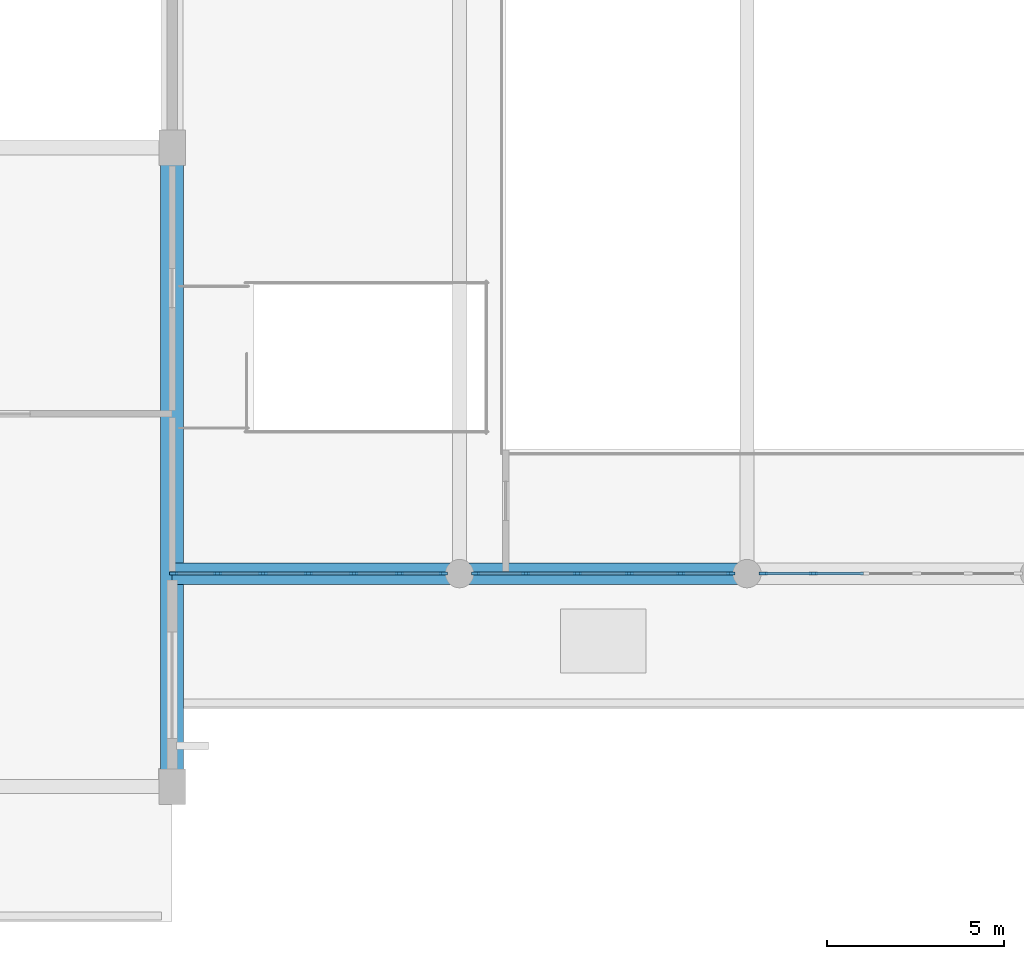
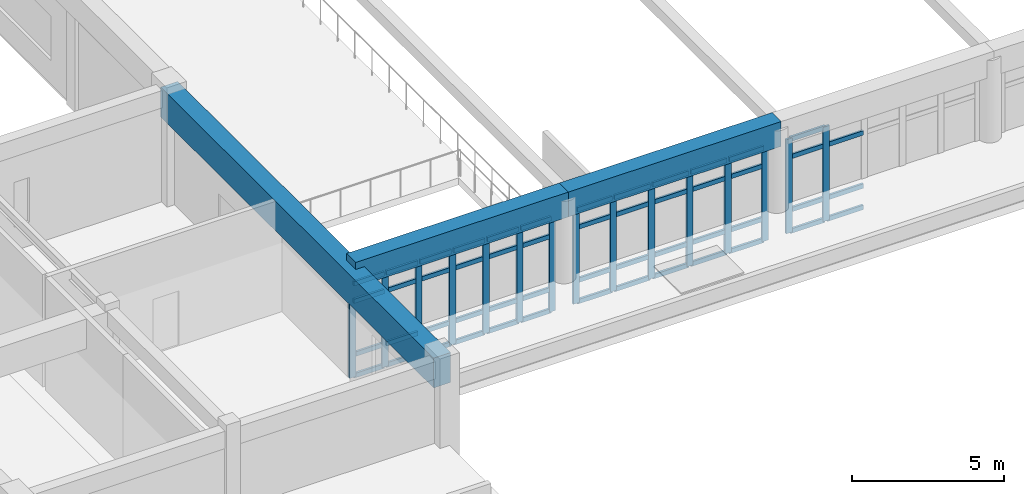
# One storey, part 6 of 61: 66 members, 3 beams, 3 elements without a shape of their own.
"""IFC4 building model written with IfcOpenShell, lengths in metres."""

from ifc_helpers import new_model, si_unit, direction, frame, origin, origin_2d, place, context, subcontext, project, spatial, rectangle, extrude, material, material_profile, profile_set, type_object, element, aggregate, save


model = new_model("IFC4")

# Units and contexts
model_context = context("Model", 3, precision=1e-05, world=origin(), true_north=direction((0.0, 1.0)))
body_context = subcontext(model_context, "Body", "Model", "MODEL_VIEW")
ifc_project = project(units=[si_unit("LENGTHUNIT", "METRE"), si_unit("AREAUNIT", "SQUARE_METRE"), si_unit("VOLUMEUNIT", "CUBIC_METRE"), si_unit("PLANEANGLEUNIT", "RADIAN"), si_unit("MASSUNIT", "GRAM", prefix="KILO")], contexts=[model_context])

# Site, building, storey
site_placement = place(None, origin())
site = spatial("IfcSite", under=ifc_project, at=site_placement, CompositionType="ELEMENT")
building_placement = place(site_placement, origin())
building = spatial("IfcBuilding", under=site, at=building_placement, Name="Tarnveldt Square Police Headquarters", CompositionType="ELEMENT")
storey_placement = place(building_placement, frame((0.0, 0.0, 5.39990234375)))
storey = spatial("IfcBuildingStorey", under=building, at=storey_placement, Name="L01", CompositionType="ELEMENT", Elevation=5.39990234375)

# Beams
ifc_material_1 = material(Name="Concrete 50 MPa", Category="concrete")
ifc_material_profile_1 = material_profile(ifc_material_1, rectangle(XDim=0.60009765625, YDim=1.0, at=origin_2d()), Name="RC-B600x1000")
ifc_profile_set_1 = profile_set([ifc_material_profile_1], Name="Concrete 50 MPa")
beam_type_1 = type_object("IfcBeamType", Name="BM-RC600x1000", PredefinedType="BEAM", material=ifc_profile_set_1)
beam_1_placement = place(storey_placement, frame((64.800048828125, 22.0, 4.300048828125), z_axis=(1.0, 0.0, 0.0), x_axis=(0.0, 1.0, 0.0)))
element("IfcBeam", 1, at=beam_1_placement, inside=storey, type_object=beam_type_1, Name="Public Entrance Hall Springing Edge Ring Beam S1", PredefinedType="BEAM", context=body_context, shape_type="SweptSolid", body=[
    extrude(rectangle(XDim=0.60009765625, YDim=1.0, at=origin_2d()), origin(), (0.0, 0.0, 1.0), 8.099853515625),
])
beam_2_placement = place(storey_placement, frame((72.89990234375, 22.0, 4.300048828125), z_axis=(1.0, 0.0, 0.0), x_axis=(0.0, 1.0, 0.0)))
element("IfcBeam", 2, at=beam_2_placement, inside=storey, type_object=beam_type_1, Name="Public Entrance Hall Springing Edge Ring Beam S2", PredefinedType="BEAM", context=body_context, shape_type="SweptSolid", body=[
    extrude(rectangle(XDim=0.60009765625, YDim=1.0, at=origin_2d()), origin(), (0.0, 0.0, 1.0), 8.10009765625),
])
ifc_material_profile_2 = material_profile(ifc_material_1, rectangle(XDim=0.64990234375, YDim=1.199951171875, at=origin_2d()), Name="RC-B650x1200")
ifc_profile_set_2 = profile_set([ifc_material_profile_2], Name="Concrete 50 MPa")
beam_type_2 = type_object("IfcBeamType", Name="BM-RC650x1200", PredefinedType="BEAM", material=ifc_profile_set_2)
beam_3_placement = place(storey_placement, frame((64.800048828125, 16.0, 3.920166015625), z_axis=(0.0, 1.0, 0.0), x_axis=(-1.0, 0.0, 0.0)))
element("IfcBeam", 3, at=beam_3_placement, inside=storey, type_object=beam_type_2, Name="L02 Grid Girder Y-0628", PredefinedType="BEAM", context=body_context, shape_type="SweptSolid", body=[
    extrude(rectangle(XDim=0.64990234375, YDim=1.199951171875, at=origin_2d()), origin(), (0.0, 0.0, 1.0), 18.0),
])

# Curtain wall, members
ifc_material_2 = material(Name="Triple-glazed low-e laminated vision glass", Category="glass")
curtain_wall_type_1 = type_object("IfcCurtainWallType", Name="CW-EH-769x379", PredefinedType="USERDEFINED", material=ifc_material_2)
curtain_wall_1_placement = place(storey_placement, origin())
curtain_wall_1 = element("IfcCurtainWall", 4, at=curtain_wall_1_placement, inside=storey, type_object=curtain_wall_type_1, Name="L01 Curtain Wall CW-L01-007", ObjectType="GLAZED CURTAIN WALL", PredefinedType="USERDEFINED")
ifc_material_3 = material(Name="Thermally broken anodised aluminium 6063-T6", Category="aluminium")
ifc_material_profile_3 = material_profile(ifc_material_3, rectangle(XDim=0.0849609375, YDim=0.239990234375, at=origin_2d()), Name="CW-M85x240")
ifc_profile_set_3 = profile_set([ifc_material_profile_3], Name="Thermally broken anodised aluminium 6063-T6")
member_type_1 = type_object("IfcMemberType", Name="CWM-85x240", PredefinedType="MULLION", material=ifc_profile_set_3)
member_1_placement = place(storey_placement, frame((64.842529296875, 22.0, 0.0), z_axis=(0.0, 0.0, 1.0), x_axis=(0.0, 1.0, 0.0)))
member_1 = element("IfcMember", 5, at=member_1_placement, type_object=member_type_1, Name="CW-EH04 mullion 1", PredefinedType="MULLION", context=body_context, shape_type="SweptSolid", body=[
    extrude(rectangle(XDim=0.0849609375, YDim=0.239990234375, at=origin_2d()), origin(), (0.0, 0.0, 1.0), 3.7919921875),
])
member_2_placement = place(storey_placement, frame((66.080810546875, 22.0, 0.0), z_axis=(0.0, 0.0, 1.0), x_axis=(0.0, 1.0, 0.0)))
member_2 = element("IfcMember", 6, at=member_2_placement, type_object=member_type_1, Name="CW-EH04 mullion 2", PredefinedType="MULLION", context=body_context, shape_type="SweptSolid", body=[
    extrude(rectangle(XDim=0.0849609375, YDim=0.239990234375, at=origin_2d()), origin(), (0.0, 0.0, 1.0), 3.7919921875),
])
member_3_placement = place(storey_placement, frame((67.361572265625, 22.0, 0.0), z_axis=(0.0, 0.0, 1.0), x_axis=(0.0, 1.0, 0.0)))
member_3 = element("IfcMember", 7, at=member_3_placement, type_object=member_type_1, Name="CW-EH04 mullion 3", PredefinedType="MULLION", context=body_context, shape_type="SweptSolid", body=[
    extrude(rectangle(XDim=0.0849609375, YDim=0.239990234375, at=origin_2d()), origin(), (0.0, 0.0, 1.0), 3.7919921875),
])
member_4_placement = place(storey_placement, frame((68.642578125, 22.0, 0.0), z_axis=(0.0, 0.0, 1.0), x_axis=(0.0, 1.0, 0.0)))
member_4 = element("IfcMember", 8, at=member_4_placement, type_object=member_type_1, Name="CW-EH04 mullion 4", PredefinedType="MULLION", context=body_context, shape_type="SweptSolid", body=[
    extrude(rectangle(XDim=0.0849609375, YDim=0.239990234375, at=origin_2d()), origin(), (0.0, 0.0, 1.0), 3.7919921875),
])
member_5_placement = place(storey_placement, frame((69.92333984375, 22.0, 0.0), z_axis=(0.0, 0.0, 1.0), x_axis=(0.0, 1.0, 0.0)))
member_5 = element("IfcMember", 9, at=member_5_placement, type_object=member_type_1, Name="CW-EH04 mullion 5", PredefinedType="MULLION", context=body_context, shape_type="SweptSolid", body=[
    extrude(rectangle(XDim=0.0849609375, YDim=0.239990234375, at=origin_2d()), origin(), (0.0, 0.0, 1.0), 3.7919921875),
])
member_6_placement = place(storey_placement, frame((71.2041015625, 22.0, 0.0), z_axis=(0.0, 0.0, 1.0), x_axis=(0.0, 1.0, 0.0)))
member_6 = element("IfcMember", 10, at=member_6_placement, type_object=member_type_1, Name="CW-EH04 mullion 6", PredefinedType="MULLION", context=body_context, shape_type="SweptSolid", body=[
    extrude(rectangle(XDim=0.0849609375, YDim=0.239990234375, at=origin_2d()), origin(), (0.0, 0.0, 1.0), 3.7919921875),
])
member_7_placement = place(storey_placement, frame((72.4423828125, 22.0, 0.0), z_axis=(0.0, 0.0, 1.0), x_axis=(0.0, 1.0, 0.0)))
member_7 = element("IfcMember", 11, at=member_7_placement, type_object=member_type_1, Name="CW-EH04 mullion 7", PredefinedType="MULLION", context=body_context, shape_type="SweptSolid", body=[
    extrude(rectangle(XDim=0.0849609375, YDim=0.239990234375, at=origin_2d()), origin(), (0.0, 0.0, 1.0), 3.7919921875),
])

curtain_wall_type_2 = type_object("IfcCurtainWallType", Name="CW-EH-727x379", PredefinedType="USERDEFINED", material=ifc_material_2)
curtain_wall_2_placement = place(storey_placement, origin())
curtain_wall_2 = element("IfcCurtainWall", 12, at=curtain_wall_2_placement, inside=storey, type_object=curtain_wall_type_2, Name="L01 Curtain Wall CW-L01-008", ObjectType="GLAZED CURTAIN WALL", PredefinedType="USERDEFINED")
member_8_placement = place(storey_placement, frame((73.357421875, 22.0, 0.0), z_axis=(0.0, 0.0, 1.0), x_axis=(0.0, 1.0, 0.0)))
member_8 = element("IfcMember", 13, at=member_8_placement, type_object=member_type_1, Name="CW-EH05 mullion 1", PredefinedType="MULLION", context=body_context, shape_type="SweptSolid", body=[
    extrude(rectangle(XDim=0.0849609375, YDim=0.239990234375, at=origin_2d()), origin(), (0.0, 0.0, 1.0), 3.7919921875),
])
member_9_placement = place(storey_placement, frame((74.76904296875, 22.0, 0.0), z_axis=(0.0, 0.0, 1.0), x_axis=(0.0, 1.0, 0.0)))
member_9 = element("IfcMember", 14, at=member_9_placement, type_object=member_type_1, Name="CW-EH05 mullion 2", PredefinedType="MULLION", context=body_context, shape_type="SweptSolid", body=[
    extrude(rectangle(XDim=0.0849609375, YDim=0.239990234375, at=origin_2d()), origin(), (0.0, 0.0, 1.0), 3.7919921875),
])
member_10_placement = place(storey_placement, frame((76.222900390625, 22.0, 0.0), z_axis=(0.0, 0.0, 1.0), x_axis=(0.0, 1.0, 0.0)))
member_10 = element("IfcMember", 15, at=member_10_placement, type_object=member_type_1, Name="CW-EH05 mullion 3", PredefinedType="MULLION", context=body_context, shape_type="SweptSolid", body=[
    extrude(rectangle(XDim=0.0849609375, YDim=0.239990234375, at=origin_2d()), origin(), (0.0, 0.0, 1.0), 3.7919921875),
])
member_11_placement = place(storey_placement, frame((77.677001953125, 22.0, 0.0), z_axis=(0.0, 0.0, 1.0), x_axis=(0.0, 1.0, 0.0)))
member_11 = element("IfcMember", 16, at=member_11_placement, type_object=member_type_1, Name="CW-EH05 mullion 4", PredefinedType="MULLION", context=body_context, shape_type="SweptSolid", body=[
    extrude(rectangle(XDim=0.0849609375, YDim=0.239990234375, at=origin_2d()), origin(), (0.0, 0.0, 1.0), 3.7919921875),
])
member_12_placement = place(storey_placement, frame((79.131103515625, 22.0, 0.0), z_axis=(0.0, 0.0, 1.0), x_axis=(0.0, 1.0, 0.0)))
member_12 = element("IfcMember", 17, at=member_12_placement, type_object=member_type_1, Name="CW-EH05 mullion 5", PredefinedType="MULLION", context=body_context, shape_type="SweptSolid", body=[
    extrude(rectangle(XDim=0.0849609375, YDim=0.239990234375, at=origin_2d()), origin(), (0.0, 0.0, 1.0), 3.7919921875),
])
member_13_placement = place(storey_placement, frame((80.54248046875, 22.0, 0.0), z_axis=(0.0, 0.0, 1.0), x_axis=(0.0, 1.0, 0.0)))
member_13 = element("IfcMember", 18, at=member_13_placement, type_object=member_type_1, Name="CW-EH05 mullion 6", PredefinedType="MULLION", context=body_context, shape_type="SweptSolid", body=[
    extrude(rectangle(XDim=0.0849609375, YDim=0.239990234375, at=origin_2d()), origin(), (0.0, 0.0, 1.0), 3.7919921875),
])

curtain_wall_3_placement = place(storey_placement, origin())
curtain_wall_3 = element("IfcCurtainWall", 19, at=curtain_wall_3_placement, inside=storey, type_object=curtain_wall_type_2, Name="L01 Curtain Wall CW-L01-009", ObjectType="GLAZED CURTAIN WALL", PredefinedType="USERDEFINED")
member_14_placement = place(storey_placement, frame((81.45751953125, 22.0, 0.0), z_axis=(0.0, 0.0, 1.0), x_axis=(0.0, 1.0, 0.0)))
member_14 = element("IfcMember", 20, at=member_14_placement, type_object=member_type_1, Name="CW-EH05 mullion 1", PredefinedType="MULLION", context=body_context, shape_type="SweptSolid", body=[
    extrude(rectangle(XDim=0.0849609375, YDim=0.239990234375, at=origin_2d()), origin(), (0.0, 0.0, 1.0), 3.7919921875),
])
member_15_placement = place(storey_placement, frame((82.868896484375, 22.0, 0.0), z_axis=(0.0, 0.0, 1.0), x_axis=(0.0, 1.0, 0.0)))
member_15 = element("IfcMember", 21, at=member_15_placement, type_object=member_type_1, Name="CW-EH05 mullion 2", PredefinedType="MULLION", context=body_context, shape_type="SweptSolid", body=[
    extrude(rectangle(XDim=0.0849609375, YDim=0.239990234375, at=origin_2d()), origin(), (0.0, 0.0, 1.0), 3.7919921875),
])

# Member
ifc_material_profile_4 = material_profile(ifc_material_3, rectangle(XDim=0.0849609375, YDim=0.179931640625, at=origin_2d()), Name="CW-T85x180")
ifc_profile_set_4 = profile_set([ifc_material_profile_4], Name="Thermally broken anodised aluminium 6063-T6")
member_type_2 = type_object("IfcMemberType", Name="CWT-85x180", PredefinedType="USERDEFINED", material=ifc_profile_set_4)
member_16_placement = place(storey_placement, frame((64.885009765625, 22.0, 0.04248046875), z_axis=(1.0, 0.0, 0.0), x_axis=(0.0, 1.0, 0.0)))
member_16 = element("IfcMember", 22, at=member_16_placement, type_object=member_type_2, Name="CW-EH04 transom 1.1", ObjectType="TRANSOM", PredefinedType="USERDEFINED", context=body_context, shape_type="SweptSolid", body=[
    extrude(rectangle(XDim=0.0849609375, YDim=0.179931640625, at=origin_2d()), origin(), (0.0, 0.0, 1.0), 1.1533203125),
])

member_17_placement = place(storey_placement, frame((64.885009765625, 22.0, 0.900146484375), z_axis=(1.0, 0.0, 0.0), x_axis=(0.0, 1.0, 0.0)))
member_17 = element("IfcMember", 23, at=member_17_placement, type_object=member_type_2, Name="CW-EH04 transom 1.2", ObjectType="TRANSOM", PredefinedType="USERDEFINED", context=body_context, shape_type="SweptSolid", body=[
    extrude(rectangle(XDim=0.0849609375, YDim=0.179931640625, at=origin_2d()), origin(), (0.0, 0.0, 1.0), 1.1533203125),
])

member_18_placement = place(storey_placement, frame((64.885009765625, 22.0, 3.0419921875), z_axis=(1.0, 0.0, 0.0), x_axis=(0.0, 1.0, 0.0)))
member_18 = element("IfcMember", 24, at=member_18_placement, type_object=member_type_2, Name="CW-EH04 transom 1.3", ObjectType="TRANSOM", PredefinedType="USERDEFINED", context=body_context, shape_type="SweptSolid", body=[
    extrude(rectangle(XDim=0.0849609375, YDim=0.179931640625, at=origin_2d()), origin(), (0.0, 0.0, 1.0), 1.1533203125),
])

member_19_placement = place(storey_placement, frame((64.885009765625, 22.0, 3.74951171875), z_axis=(1.0, 0.0, 0.0), x_axis=(0.0, 1.0, 0.0)))
member_19 = element("IfcMember", 25, at=member_19_placement, type_object=member_type_2, Name="CW-EH04 transom 1.4", ObjectType="TRANSOM", PredefinedType="USERDEFINED", context=body_context, shape_type="SweptSolid", body=[
    extrude(rectangle(XDim=0.0849609375, YDim=0.179931640625, at=origin_2d()), origin(), (0.0, 0.0, 1.0), 1.1533203125),
])

member_20_placement = place(storey_placement, frame((66.123291015625, 22.0, 0.04248046875), z_axis=(1.0, 0.0, 0.0), x_axis=(0.0, 1.0, 0.0)))
member_20 = element("IfcMember", 26, at=member_20_placement, type_object=member_type_2, Name="CW-EH04 transom 2.1", ObjectType="TRANSOM", PredefinedType="USERDEFINED", context=body_context, shape_type="SweptSolid", body=[
    extrude(rectangle(XDim=0.0849609375, YDim=0.179931640625, at=origin_2d()), origin(), (0.0, 0.0, 1.0), 1.19580078125),
])

member_21_placement = place(storey_placement, frame((66.123291015625, 22.0, 0.900146484375), z_axis=(1.0, 0.0, 0.0), x_axis=(0.0, 1.0, 0.0)))
member_21 = element("IfcMember", 27, at=member_21_placement, type_object=member_type_2, Name="CW-EH04 transom 2.2", ObjectType="TRANSOM", PredefinedType="USERDEFINED", context=body_context, shape_type="SweptSolid", body=[
    extrude(rectangle(XDim=0.0849609375, YDim=0.179931640625, at=origin_2d()), origin(), (0.0, 0.0, 1.0), 1.19580078125),
])

member_22_placement = place(storey_placement, frame((66.123291015625, 22.0, 3.0419921875), z_axis=(1.0, 0.0, 0.0), x_axis=(0.0, 1.0, 0.0)))
member_22 = element("IfcMember", 28, at=member_22_placement, type_object=member_type_2, Name="CW-EH04 transom 2.3", ObjectType="TRANSOM", PredefinedType="USERDEFINED", context=body_context, shape_type="SweptSolid", body=[
    extrude(rectangle(XDim=0.0849609375, YDim=0.179931640625, at=origin_2d()), origin(), (0.0, 0.0, 1.0), 1.19580078125),
])

member_23_placement = place(storey_placement, frame((66.123291015625, 22.0, 3.74951171875), z_axis=(1.0, 0.0, 0.0), x_axis=(0.0, 1.0, 0.0)))
member_23 = element("IfcMember", 29, at=member_23_placement, type_object=member_type_2, Name="CW-EH04 transom 2.4", ObjectType="TRANSOM", PredefinedType="USERDEFINED", context=body_context, shape_type="SweptSolid", body=[
    extrude(rectangle(XDim=0.0849609375, YDim=0.179931640625, at=origin_2d()), origin(), (0.0, 0.0, 1.0), 1.19580078125),
])

member_24_placement = place(storey_placement, frame((67.404052734375, 22.0, 0.04248046875), z_axis=(1.0, 0.0, 0.0), x_axis=(0.0, 1.0, 0.0)))
member_24 = element("IfcMember", 30, at=member_24_placement, type_object=member_type_2, Name="CW-EH04 transom 3.1", ObjectType="TRANSOM", PredefinedType="USERDEFINED", context=body_context, shape_type="SweptSolid", body=[
    extrude(rectangle(XDim=0.0849609375, YDim=0.179931640625, at=origin_2d()), origin(), (0.0, 0.0, 1.0), 1.196044921875),
])

member_25_placement = place(storey_placement, frame((67.404052734375, 22.0, 0.900146484375), z_axis=(1.0, 0.0, 0.0), x_axis=(0.0, 1.0, 0.0)))
member_25 = element("IfcMember", 31, at=member_25_placement, type_object=member_type_2, Name="CW-EH04 transom 3.2", ObjectType="TRANSOM", PredefinedType="USERDEFINED", context=body_context, shape_type="SweptSolid", body=[
    extrude(rectangle(XDim=0.0849609375, YDim=0.179931640625, at=origin_2d()), origin(), (0.0, 0.0, 1.0), 1.196044921875),
])

member_26_placement = place(storey_placement, frame((67.404052734375, 22.0, 3.0419921875), z_axis=(1.0, 0.0, 0.0), x_axis=(0.0, 1.0, 0.0)))
member_26 = element("IfcMember", 32, at=member_26_placement, type_object=member_type_2, Name="CW-EH04 transom 3.3", ObjectType="TRANSOM", PredefinedType="USERDEFINED", context=body_context, shape_type="SweptSolid", body=[
    extrude(rectangle(XDim=0.0849609375, YDim=0.179931640625, at=origin_2d()), origin(), (0.0, 0.0, 1.0), 1.196044921875),
])

member_27_placement = place(storey_placement, frame((67.404052734375, 22.0, 3.74951171875), z_axis=(1.0, 0.0, 0.0), x_axis=(0.0, 1.0, 0.0)))
member_27 = element("IfcMember", 33, at=member_27_placement, type_object=member_type_2, Name="CW-EH04 transom 3.4", ObjectType="TRANSOM", PredefinedType="USERDEFINED", context=body_context, shape_type="SweptSolid", body=[
    extrude(rectangle(XDim=0.0849609375, YDim=0.179931640625, at=origin_2d()), origin(), (0.0, 0.0, 1.0), 1.196044921875),
])

member_28_placement = place(storey_placement, frame((68.68505859375, 22.0, 0.04248046875), z_axis=(1.0, 0.0, 0.0), x_axis=(0.0, 1.0, 0.0)))
member_28 = element("IfcMember", 34, at=member_28_placement, type_object=member_type_2, Name="CW-EH04 transom 4.1", ObjectType="TRANSOM", PredefinedType="USERDEFINED", context=body_context, shape_type="SweptSolid", body=[
    extrude(rectangle(XDim=0.0849609375, YDim=0.179931640625, at=origin_2d()), origin(), (0.0, 0.0, 1.0), 1.19580078125),
])

member_29_placement = place(storey_placement, frame((68.68505859375, 22.0, 0.900146484375), z_axis=(1.0, 0.0, 0.0), x_axis=(0.0, 1.0, 0.0)))
member_29 = element("IfcMember", 35, at=member_29_placement, type_object=member_type_2, Name="CW-EH04 transom 4.2", ObjectType="TRANSOM", PredefinedType="USERDEFINED", context=body_context, shape_type="SweptSolid", body=[
    extrude(rectangle(XDim=0.0849609375, YDim=0.179931640625, at=origin_2d()), origin(), (0.0, 0.0, 1.0), 1.19580078125),
])

member_30_placement = place(storey_placement, frame((68.68505859375, 22.0, 3.0419921875), z_axis=(1.0, 0.0, 0.0), x_axis=(0.0, 1.0, 0.0)))
member_30 = element("IfcMember", 36, at=member_30_placement, type_object=member_type_2, Name="CW-EH04 transom 4.3", ObjectType="TRANSOM", PredefinedType="USERDEFINED", context=body_context, shape_type="SweptSolid", body=[
    extrude(rectangle(XDim=0.0849609375, YDim=0.179931640625, at=origin_2d()), origin(), (0.0, 0.0, 1.0), 1.19580078125),
])

member_31_placement = place(storey_placement, frame((68.68505859375, 22.0, 3.74951171875), z_axis=(1.0, 0.0, 0.0), x_axis=(0.0, 1.0, 0.0)))
member_31 = element("IfcMember", 37, at=member_31_placement, type_object=member_type_2, Name="CW-EH04 transom 4.4", ObjectType="TRANSOM", PredefinedType="USERDEFINED", context=body_context, shape_type="SweptSolid", body=[
    extrude(rectangle(XDim=0.0849609375, YDim=0.179931640625, at=origin_2d()), origin(), (0.0, 0.0, 1.0), 1.19580078125),
])

member_32_placement = place(storey_placement, frame((69.9658203125, 22.0, 0.04248046875), z_axis=(1.0, 0.0, 0.0), x_axis=(0.0, 1.0, 0.0)))
member_32 = element("IfcMember", 38, at=member_32_placement, type_object=member_type_2, Name="CW-EH04 transom 5.1", ObjectType="TRANSOM", PredefinedType="USERDEFINED", context=body_context, shape_type="SweptSolid", body=[
    extrude(rectangle(XDim=0.0849609375, YDim=0.179931640625, at=origin_2d()), origin(), (0.0, 0.0, 1.0), 1.19580078125),
])

member_33_placement = place(storey_placement, frame((69.9658203125, 22.0, 0.900146484375), z_axis=(1.0, 0.0, 0.0), x_axis=(0.0, 1.0, 0.0)))
member_33 = element("IfcMember", 39, at=member_33_placement, type_object=member_type_2, Name="CW-EH04 transom 5.2", ObjectType="TRANSOM", PredefinedType="USERDEFINED", context=body_context, shape_type="SweptSolid", body=[
    extrude(rectangle(XDim=0.0849609375, YDim=0.179931640625, at=origin_2d()), origin(), (0.0, 0.0, 1.0), 1.19580078125),
])

member_34_placement = place(storey_placement, frame((69.9658203125, 22.0, 3.0419921875), z_axis=(1.0, 0.0, 0.0), x_axis=(0.0, 1.0, 0.0)))
member_34 = element("IfcMember", 40, at=member_34_placement, type_object=member_type_2, Name="CW-EH04 transom 5.3", ObjectType="TRANSOM", PredefinedType="USERDEFINED", context=body_context, shape_type="SweptSolid", body=[
    extrude(rectangle(XDim=0.0849609375, YDim=0.179931640625, at=origin_2d()), origin(), (0.0, 0.0, 1.0), 1.19580078125),
])

member_35_placement = place(storey_placement, frame((69.9658203125, 22.0, 3.74951171875), z_axis=(1.0, 0.0, 0.0), x_axis=(0.0, 1.0, 0.0)))
member_35 = element("IfcMember", 41, at=member_35_placement, type_object=member_type_2, Name="CW-EH04 transom 5.4", ObjectType="TRANSOM", PredefinedType="USERDEFINED", context=body_context, shape_type="SweptSolid", body=[
    extrude(rectangle(XDim=0.0849609375, YDim=0.179931640625, at=origin_2d()), origin(), (0.0, 0.0, 1.0), 1.19580078125),
])

member_36_placement = place(storey_placement, frame((71.24658203125, 22.0, 0.04248046875), z_axis=(1.0, 0.0, 0.0), x_axis=(0.0, 1.0, 0.0)))
member_36 = element("IfcMember", 42, at=member_36_placement, type_object=member_type_2, Name="CW-EH04 transom 6.1", ObjectType="TRANSOM", PredefinedType="USERDEFINED", context=body_context, shape_type="SweptSolid", body=[
    extrude(rectangle(XDim=0.0849609375, YDim=0.179931640625, at=origin_2d()), origin(), (0.0, 0.0, 1.0), 1.1533203125),
])

member_37_placement = place(storey_placement, frame((71.24658203125, 22.0, 0.900146484375), z_axis=(1.0, 0.0, 0.0), x_axis=(0.0, 1.0, 0.0)))
member_37 = element("IfcMember", 43, at=member_37_placement, type_object=member_type_2, Name="CW-EH04 transom 6.2", ObjectType="TRANSOM", PredefinedType="USERDEFINED", context=body_context, shape_type="SweptSolid", body=[
    extrude(rectangle(XDim=0.0849609375, YDim=0.179931640625, at=origin_2d()), origin(), (0.0, 0.0, 1.0), 1.1533203125),
])

member_38_placement = place(storey_placement, frame((71.24658203125, 22.0, 3.0419921875), z_axis=(1.0, 0.0, 0.0), x_axis=(0.0, 1.0, 0.0)))
member_38 = element("IfcMember", 44, at=member_38_placement, type_object=member_type_2, Name="CW-EH04 transom 6.3", ObjectType="TRANSOM", PredefinedType="USERDEFINED", context=body_context, shape_type="SweptSolid", body=[
    extrude(rectangle(XDim=0.0849609375, YDim=0.179931640625, at=origin_2d()), origin(), (0.0, 0.0, 1.0), 1.1533203125),
])

member_39_placement = place(storey_placement, frame((71.24658203125, 22.0, 3.74951171875), z_axis=(1.0, 0.0, 0.0), x_axis=(0.0, 1.0, 0.0)))
member_39 = element("IfcMember", 45, at=member_39_placement, type_object=member_type_2, Name="CW-EH04 transom 6.4", ObjectType="TRANSOM", PredefinedType="USERDEFINED", context=body_context, shape_type="SweptSolid", body=[
    extrude(rectangle(XDim=0.0849609375, YDim=0.179931640625, at=origin_2d()), origin(), (0.0, 0.0, 1.0), 1.1533203125),
])

aggregate(curtain_wall_1, [member_1, member_2, member_3, member_4, member_5, member_6, member_7, member_16, member_17, member_18, member_19, member_20, member_21, member_22, member_23, member_24, member_25, member_26, member_27, member_28, member_29, member_30, member_31, member_32, member_33, member_34, member_35, member_36, member_37, member_38, member_39])

member_40_placement = place(storey_placement, frame((73.39990234375, 22.0, 0.04248046875), z_axis=(1.0, 0.0, 0.0), x_axis=(0.0, 1.0, 0.0)))
member_40 = element("IfcMember", 46, at=member_40_placement, type_object=member_type_2, Name="CW-EH05 transom 1.1", ObjectType="TRANSOM", PredefinedType="USERDEFINED", context=body_context, shape_type="SweptSolid", body=[
    extrude(rectangle(XDim=0.0849609375, YDim=0.179931640625, at=origin_2d()), origin(), (0.0, 0.0, 1.0), 1.32666015625),
])

member_41_placement = place(storey_placement, frame((73.39990234375, 22.0, 0.900146484375), z_axis=(1.0, 0.0, 0.0), x_axis=(0.0, 1.0, 0.0)))
member_41 = element("IfcMember", 47, at=member_41_placement, type_object=member_type_2, Name="CW-EH05 transom 1.2", ObjectType="TRANSOM", PredefinedType="USERDEFINED", context=body_context, shape_type="SweptSolid", body=[
    extrude(rectangle(XDim=0.0849609375, YDim=0.179931640625, at=origin_2d()), origin(), (0.0, 0.0, 1.0), 1.32666015625),
])

member_42_placement = place(storey_placement, frame((73.39990234375, 22.0, 3.0419921875), z_axis=(1.0, 0.0, 0.0), x_axis=(0.0, 1.0, 0.0)))
member_42 = element("IfcMember", 48, at=member_42_placement, type_object=member_type_2, Name="CW-EH05 transom 1.3", ObjectType="TRANSOM", PredefinedType="USERDEFINED", context=body_context, shape_type="SweptSolid", body=[
    extrude(rectangle(XDim=0.0849609375, YDim=0.179931640625, at=origin_2d()), origin(), (0.0, 0.0, 1.0), 1.32666015625),
])

member_43_placement = place(storey_placement, frame((73.39990234375, 22.0, 3.74951171875), z_axis=(1.0, 0.0, 0.0), x_axis=(0.0, 1.0, 0.0)))
member_43 = element("IfcMember", 49, at=member_43_placement, type_object=member_type_2, Name="CW-EH05 transom 1.4", ObjectType="TRANSOM", PredefinedType="USERDEFINED", context=body_context, shape_type="SweptSolid", body=[
    extrude(rectangle(XDim=0.0849609375, YDim=0.179931640625, at=origin_2d()), origin(), (0.0, 0.0, 1.0), 1.32666015625),
])

member_44_placement = place(storey_placement, frame((74.8115234375, 22.0, 0.04248046875), z_axis=(1.0, 0.0, 0.0), x_axis=(0.0, 1.0, 0.0)))
member_44 = element("IfcMember", 50, at=member_44_placement, type_object=member_type_2, Name="CW-EH05 transom 2.1", ObjectType="TRANSOM", PredefinedType="USERDEFINED", context=body_context, shape_type="SweptSolid", body=[
    extrude(rectangle(XDim=0.0849609375, YDim=0.179931640625, at=origin_2d()), origin(), (0.0, 0.0, 1.0), 1.368896484375),
])

member_45_placement = place(storey_placement, frame((74.8115234375, 22.0, 0.900146484375), z_axis=(1.0, 0.0, 0.0), x_axis=(0.0, 1.0, 0.0)))
member_45 = element("IfcMember", 51, at=member_45_placement, type_object=member_type_2, Name="CW-EH05 transom 2.2", ObjectType="TRANSOM", PredefinedType="USERDEFINED", context=body_context, shape_type="SweptSolid", body=[
    extrude(rectangle(XDim=0.0849609375, YDim=0.179931640625, at=origin_2d()), origin(), (0.0, 0.0, 1.0), 1.368896484375),
])

member_46_placement = place(storey_placement, frame((74.8115234375, 22.0, 3.0419921875), z_axis=(1.0, 0.0, 0.0), x_axis=(0.0, 1.0, 0.0)))
member_46 = element("IfcMember", 52, at=member_46_placement, type_object=member_type_2, Name="CW-EH05 transom 2.3", ObjectType="TRANSOM", PredefinedType="USERDEFINED", context=body_context, shape_type="SweptSolid", body=[
    extrude(rectangle(XDim=0.0849609375, YDim=0.179931640625, at=origin_2d()), origin(), (0.0, 0.0, 1.0), 1.368896484375),
])

member_47_placement = place(storey_placement, frame((74.8115234375, 22.0, 3.74951171875), z_axis=(1.0, 0.0, 0.0), x_axis=(0.0, 1.0, 0.0)))
member_47 = element("IfcMember", 53, at=member_47_placement, type_object=member_type_2, Name="CW-EH05 transom 2.4", ObjectType="TRANSOM", PredefinedType="USERDEFINED", context=body_context, shape_type="SweptSolid", body=[
    extrude(rectangle(XDim=0.0849609375, YDim=0.179931640625, at=origin_2d()), origin(), (0.0, 0.0, 1.0), 1.368896484375),
])

member_48_placement = place(storey_placement, frame((76.265380859375, 22.0, 0.04248046875), z_axis=(1.0, 0.0, 0.0), x_axis=(0.0, 1.0, 0.0)))
member_48 = element("IfcMember", 54, at=member_48_placement, type_object=member_type_2, Name="CW-EH05 transom 3.1", ObjectType="TRANSOM", PredefinedType="USERDEFINED", context=body_context, shape_type="SweptSolid", body=[
    extrude(rectangle(XDim=0.0849609375, YDim=0.179931640625, at=origin_2d()), origin(), (0.0, 0.0, 1.0), 1.369140625),
])

member_49_placement = place(storey_placement, frame((76.265380859375, 22.0, 0.900146484375), z_axis=(1.0, 0.0, 0.0), x_axis=(0.0, 1.0, 0.0)))
member_49 = element("IfcMember", 55, at=member_49_placement, type_object=member_type_2, Name="CW-EH05 transom 3.2", ObjectType="TRANSOM", PredefinedType="USERDEFINED", context=body_context, shape_type="SweptSolid", body=[
    extrude(rectangle(XDim=0.0849609375, YDim=0.179931640625, at=origin_2d()), origin(), (0.0, 0.0, 1.0), 1.369140625),
])

member_50_placement = place(storey_placement, frame((76.265380859375, 22.0, 3.0419921875), z_axis=(1.0, 0.0, 0.0), x_axis=(0.0, 1.0, 0.0)))
member_50 = element("IfcMember", 56, at=member_50_placement, type_object=member_type_2, Name="CW-EH05 transom 3.3", ObjectType="TRANSOM", PredefinedType="USERDEFINED", context=body_context, shape_type="SweptSolid", body=[
    extrude(rectangle(XDim=0.0849609375, YDim=0.179931640625, at=origin_2d()), origin(), (0.0, 0.0, 1.0), 1.369140625),
])

member_51_placement = place(storey_placement, frame((76.265380859375, 22.0, 3.74951171875), z_axis=(1.0, 0.0, 0.0), x_axis=(0.0, 1.0, 0.0)))
member_51 = element("IfcMember", 57, at=member_51_placement, type_object=member_type_2, Name="CW-EH05 transom 3.4", ObjectType="TRANSOM", PredefinedType="USERDEFINED", context=body_context, shape_type="SweptSolid", body=[
    extrude(rectangle(XDim=0.0849609375, YDim=0.179931640625, at=origin_2d()), origin(), (0.0, 0.0, 1.0), 1.369140625),
])

member_52_placement = place(storey_placement, frame((77.719482421875, 22.0, 0.04248046875), z_axis=(1.0, 0.0, 0.0), x_axis=(0.0, 1.0, 0.0)))
member_52 = element("IfcMember", 58, at=member_52_placement, type_object=member_type_2, Name="CW-EH05 transom 4.1", ObjectType="TRANSOM", PredefinedType="USERDEFINED", context=body_context, shape_type="SweptSolid", body=[
    extrude(rectangle(XDim=0.0849609375, YDim=0.179931640625, at=origin_2d()), origin(), (0.0, 0.0, 1.0), 1.368896484375),
])

member_53_placement = place(storey_placement, frame((77.719482421875, 22.0, 0.900146484375), z_axis=(1.0, 0.0, 0.0), x_axis=(0.0, 1.0, 0.0)))
member_53 = element("IfcMember", 59, at=member_53_placement, type_object=member_type_2, Name="CW-EH05 transom 4.2", ObjectType="TRANSOM", PredefinedType="USERDEFINED", context=body_context, shape_type="SweptSolid", body=[
    extrude(rectangle(XDim=0.0849609375, YDim=0.179931640625, at=origin_2d()), origin(), (0.0, 0.0, 1.0), 1.368896484375),
])

member_54_placement = place(storey_placement, frame((77.719482421875, 22.0, 3.0419921875), z_axis=(1.0, 0.0, 0.0), x_axis=(0.0, 1.0, 0.0)))
member_54 = element("IfcMember", 60, at=member_54_placement, type_object=member_type_2, Name="CW-EH05 transom 4.3", ObjectType="TRANSOM", PredefinedType="USERDEFINED", context=body_context, shape_type="SweptSolid", body=[
    extrude(rectangle(XDim=0.0849609375, YDim=0.179931640625, at=origin_2d()), origin(), (0.0, 0.0, 1.0), 1.368896484375),
])

member_55_placement = place(storey_placement, frame((77.719482421875, 22.0, 3.74951171875), z_axis=(1.0, 0.0, 0.0), x_axis=(0.0, 1.0, 0.0)))
member_55 = element("IfcMember", 61, at=member_55_placement, type_object=member_type_2, Name="CW-EH05 transom 4.4", ObjectType="TRANSOM", PredefinedType="USERDEFINED", context=body_context, shape_type="SweptSolid", body=[
    extrude(rectangle(XDim=0.0849609375, YDim=0.179931640625, at=origin_2d()), origin(), (0.0, 0.0, 1.0), 1.368896484375),
])

member_56_placement = place(storey_placement, frame((79.173583984375, 22.0, 0.04248046875), z_axis=(1.0, 0.0, 0.0), x_axis=(0.0, 1.0, 0.0)))
member_56 = element("IfcMember", 62, at=member_56_placement, type_object=member_type_2, Name="CW-EH05 transom 5.1", ObjectType="TRANSOM", PredefinedType="USERDEFINED", context=body_context, shape_type="SweptSolid", body=[
    extrude(rectangle(XDim=0.0849609375, YDim=0.179931640625, at=origin_2d()), origin(), (0.0, 0.0, 1.0), 1.326416015625),
])

member_57_placement = place(storey_placement, frame((79.173583984375, 22.0, 0.900146484375), z_axis=(1.0, 0.0, 0.0), x_axis=(0.0, 1.0, 0.0)))
member_57 = element("IfcMember", 63, at=member_57_placement, type_object=member_type_2, Name="CW-EH05 transom 5.2", ObjectType="TRANSOM", PredefinedType="USERDEFINED", context=body_context, shape_type="SweptSolid", body=[
    extrude(rectangle(XDim=0.0849609375, YDim=0.179931640625, at=origin_2d()), origin(), (0.0, 0.0, 1.0), 1.326416015625),
])

member_58_placement = place(storey_placement, frame((79.173583984375, 22.0, 3.0419921875), z_axis=(1.0, 0.0, 0.0), x_axis=(0.0, 1.0, 0.0)))
member_58 = element("IfcMember", 64, at=member_58_placement, type_object=member_type_2, Name="CW-EH05 transom 5.3", ObjectType="TRANSOM", PredefinedType="USERDEFINED", context=body_context, shape_type="SweptSolid", body=[
    extrude(rectangle(XDim=0.0849609375, YDim=0.179931640625, at=origin_2d()), origin(), (0.0, 0.0, 1.0), 1.326416015625),
])

member_59_placement = place(storey_placement, frame((79.173583984375, 22.0, 3.74951171875), z_axis=(1.0, 0.0, 0.0), x_axis=(0.0, 1.0, 0.0)))
member_59 = element("IfcMember", 65, at=member_59_placement, type_object=member_type_2, Name="CW-EH05 transom 5.4", ObjectType="TRANSOM", PredefinedType="USERDEFINED", context=body_context, shape_type="SweptSolid", body=[
    extrude(rectangle(XDim=0.0849609375, YDim=0.179931640625, at=origin_2d()), origin(), (0.0, 0.0, 1.0), 1.326416015625),
])

aggregate(curtain_wall_2, [member_8, member_9, member_10, member_11, member_12, member_13, member_40, member_41, member_42, member_43, member_44, member_45, member_46, member_47, member_48, member_49, member_50, member_51, member_52, member_53, member_54, member_55, member_56, member_57, member_58, member_59])

member_60_placement = place(storey_placement, frame((81.5, 22.0, 0.04248046875), z_axis=(1.0, 0.0, 0.0), x_axis=(0.0, 1.0, 0.0)))
member_60 = element("IfcMember", 66, at=member_60_placement, type_object=member_type_2, Name="CW-EH05 transom 1.1", ObjectType="TRANSOM", PredefinedType="USERDEFINED", context=body_context, shape_type="SweptSolid", body=[
    extrude(rectangle(XDim=0.0849609375, YDim=0.179931640625, at=origin_2d()), origin(), (0.0, 0.0, 1.0), 1.326416015625),
])

member_61_placement = place(storey_placement, frame((81.5, 22.0, 0.900146484375), z_axis=(1.0, 0.0, 0.0), x_axis=(0.0, 1.0, 0.0)))
member_61 = element("IfcMember", 67, at=member_61_placement, type_object=member_type_2, Name="CW-EH05 transom 1.2", ObjectType="TRANSOM", PredefinedType="USERDEFINED", context=body_context, shape_type="SweptSolid", body=[
    extrude(rectangle(XDim=0.0849609375, YDim=0.179931640625, at=origin_2d()), origin(), (0.0, 0.0, 1.0), 1.326416015625),
])

member_62_placement = place(storey_placement, frame((81.5, 22.0, 3.0419921875), z_axis=(1.0, 0.0, 0.0), x_axis=(0.0, 1.0, 0.0)))
member_62 = element("IfcMember", 68, at=member_62_placement, type_object=member_type_2, Name="CW-EH05 transom 1.3", ObjectType="TRANSOM", PredefinedType="USERDEFINED", context=body_context, shape_type="SweptSolid", body=[
    extrude(rectangle(XDim=0.0849609375, YDim=0.179931640625, at=origin_2d()), origin(), (0.0, 0.0, 1.0), 1.326416015625),
])

member_63_placement = place(storey_placement, frame((81.5, 22.0, 3.74951171875), z_axis=(1.0, 0.0, 0.0), x_axis=(0.0, 1.0, 0.0)))
member_63 = element("IfcMember", 69, at=member_63_placement, type_object=member_type_2, Name="CW-EH05 transom 1.4", ObjectType="TRANSOM", PredefinedType="USERDEFINED", context=body_context, shape_type="SweptSolid", body=[
    extrude(rectangle(XDim=0.0849609375, YDim=0.179931640625, at=origin_2d()), origin(), (0.0, 0.0, 1.0), 1.326416015625),
])

member_64_placement = place(storey_placement, frame((82.91162109375, 22.0, 0.04248046875), z_axis=(1.0, 0.0, 0.0), x_axis=(0.0, 1.0, 0.0)))
member_64 = element("IfcMember", 70, at=member_64_placement, type_object=member_type_2, Name="CW-EH05 transom 2.1", ObjectType="TRANSOM", PredefinedType="USERDEFINED", context=body_context, shape_type="SweptSolid", body=[
    extrude(rectangle(XDim=0.0849609375, YDim=0.179931640625, at=origin_2d()), origin(), (0.0, 0.0, 1.0), 1.368896484375),
])

member_65_placement = place(storey_placement, frame((82.91162109375, 22.0, 0.900146484375), z_axis=(1.0, 0.0, 0.0), x_axis=(0.0, 1.0, 0.0)))
member_65 = element("IfcMember", 71, at=member_65_placement, type_object=member_type_2, Name="CW-EH05 transom 2.2", ObjectType="TRANSOM", PredefinedType="USERDEFINED", context=body_context, shape_type="SweptSolid", body=[
    extrude(rectangle(XDim=0.0849609375, YDim=0.179931640625, at=origin_2d()), origin(), (0.0, 0.0, 1.0), 1.368896484375),
])

member_66_placement = place(storey_placement, frame((82.91162109375, 22.0, 3.0419921875), z_axis=(1.0, 0.0, 0.0), x_axis=(0.0, 1.0, 0.0)))
member_66 = element("IfcMember", 72, at=member_66_placement, type_object=member_type_2, Name="CW-EH05 transom 2.3", ObjectType="TRANSOM", PredefinedType="USERDEFINED", context=body_context, shape_type="SweptSolid", body=[
    extrude(rectangle(XDim=0.0849609375, YDim=0.179931640625, at=origin_2d()), origin(), (0.0, 0.0, 1.0), 1.368896484375),
])

aggregate(curtain_wall_3, [member_14, member_15, member_60, member_61, member_62, member_63, member_64, member_65, member_66])

save(model, "model.ifc")
